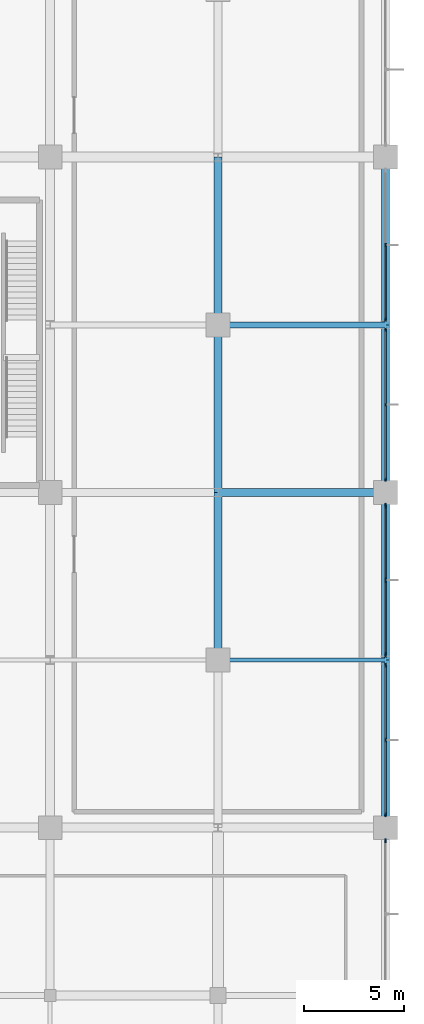
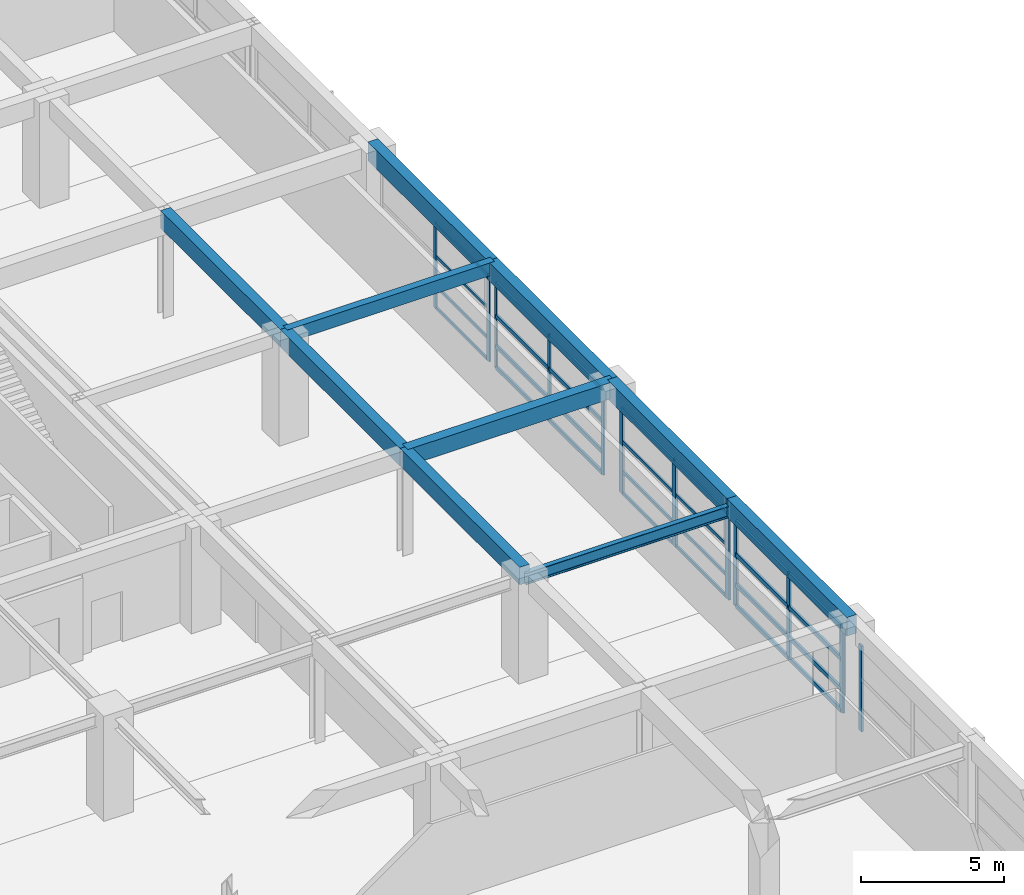
# One storey, part 37 of 65: 40 members, 10 beams, 5 elements without a shape of their own.
"""IFC4 building model written with IfcOpenShell, lengths in metres."""

from ifc_helpers import new_model, si_unit, direction, frame, origin, origin_2d, place, context, subcontext, project, spatial, rectangle, i_section, extrude, material, material_profile, profile_set, type_object, element, aggregate, save


model = new_model("IFC4")

# Units and contexts
model_context = context("Model", 3, precision=1e-05, world=origin(), true_north=direction((0.0, 1.0)))
body_context = subcontext(model_context, "Body", "Model", "MODEL_VIEW")
ifc_project = project(units=[si_unit("LENGTHUNIT", "METRE"), si_unit("AREAUNIT", "SQUARE_METRE"), si_unit("VOLUMEUNIT", "CUBIC_METRE"), si_unit("PLANEANGLEUNIT", "RADIAN"), si_unit("MASSUNIT", "GRAM", prefix="KILO")], contexts=[model_context])

# Site, building, storey
site_placement = place(None, origin())
site = spatial("IfcSite", under=ifc_project, at=site_placement, CompositionType="ELEMENT")
building_placement = place(site_placement, origin())
building = spatial("IfcBuilding", under=site, at=building_placement, Name="Xuanlan Plaza Opera House", CompositionType="ELEMENT")
storey_placement = place(building_placement, frame((0.0, 0.0, 5.39990234375)))
storey = spatial("IfcBuildingStorey", under=building, at=storey_placement, Name="L01", CompositionType="ELEMENT", Elevation=5.39990234375)

# Curtain wall, members
ifc_material_1 = material(Name="Anodised Aluminium 6063-T6 and Low-E Glass", Category="aluminium")
curtain_wall_type_1 = type_object("IfcCurtainWallType", Name="ENV-CW-CW-02", PredefinedType="USERDEFINED", material=ifc_material_1)
curtain_wall_1_placement = place(storey_placement, origin())
curtain_wall_1 = element("IfcCurtainWall", 1, at=curtain_wall_1_placement, inside=storey, type_object=curtain_wall_type_1, Name="Unitised Curtain Wall L01-023", ObjectType="UNITISED CURTAIN WALL", PredefinedType="USERDEFINED")
ifc_material_2 = material(Name="Anodised Aluminium 6063-T6", Category="aluminium")
ifc_material_profile_1 = material_profile(ifc_material_2, rectangle(XDim=0.06494140625, YDim=0.159912109375, at=origin_2d()), Name="ALU-M 65x160")
ifc_profile_set_1 = profile_set([ifc_material_profile_1], Name="Anodised Aluminium 6063-T6")
member_type_1 = type_object("IfcMemberType", Name="ENV-CWM-01", PredefinedType="MULLION", material=ifc_profile_set_1)
member_1_placement = place(storey_placement, frame((168.0, 51.052490234375, 0.0), z_axis=(0.0, 0.0, 1.0), x_axis=(-1.0, 0.0, 0.0)))
member_1 = element("IfcMember", 2, at=member_1_placement, type_object=member_type_1, Name="CW-02 mullion 1", PredefinedType="MULLION", context=body_context, shape_type="SweptSolid", body=[
    extrude(rectangle(XDim=0.06494140625, YDim=0.159912109375, at=origin_2d()), origin(), (0.0, 0.0, 1.0), 3.68017578125),
])
member_2_placement = place(storey_placement, frame((168.0, 54.79638671875, 0.0), z_axis=(0.0, 0.0, 1.0), x_axis=(-1.0, 0.0, 0.0)))
member_2 = element("IfcMember", 3, at=member_2_placement, type_object=member_type_1, Name="CW-02 mullion 2", PredefinedType="MULLION", context=body_context, shape_type="SweptSolid", body=[
    extrude(rectangle(XDim=0.06494140625, YDim=0.159912109375, at=origin_2d()), origin(), (0.0, 0.0, 1.0), 3.68017578125),
])
member_3_placement = place(storey_placement, frame((168.0, 58.54052734375, 0.0), z_axis=(0.0, 0.0, 1.0), x_axis=(-1.0, 0.0, 0.0)))
member_3 = element("IfcMember", 4, at=member_3_placement, type_object=member_type_1, Name="CW-02 mullion 3", PredefinedType="MULLION", context=body_context, shape_type="SweptSolid", body=[
    extrude(rectangle(XDim=0.06494140625, YDim=0.159912109375, at=origin_2d()), origin(), (0.0, 0.0, 1.0), 3.68017578125),
])

curtain_wall_type_2 = type_object("IfcCurtainWallType", Name="ENV-CW-CW-03", PredefinedType="USERDEFINED", material=ifc_material_1)
curtain_wall_2_placement = place(storey_placement, origin())
curtain_wall_2 = element("IfcCurtainWall", 5, at=curtain_wall_2_placement, inside=storey, type_object=curtain_wall_type_2, Name="Unitised Curtain Wall L01-024", ObjectType="UNITISED CURTAIN WALL", PredefinedType="USERDEFINED")
ifc_material_profile_2 = material_profile(ifc_material_2, rectangle(XDim=0.070068359375, YDim=0.179931640625, at=origin_2d()), Name="ALU-M 70x180")
ifc_profile_set_2 = profile_set([ifc_material_profile_2], Name="Anodised Aluminium 6063-T6")
member_type_2 = type_object("IfcMemberType", Name="ENV-CWM-02", PredefinedType="MULLION", material=ifc_profile_set_2)
member_4_placement = place(storey_placement, frame((168.0, 59.06201171875, 0.0), z_axis=(0.0, 0.0, 1.0), x_axis=(-1.0, 0.0, 0.0)))
member_4 = element("IfcMember", 6, at=member_4_placement, type_object=member_type_2, Name="CW-03 mullion 1", PredefinedType="MULLION", context=body_context, shape_type="SweptSolid", body=[
    extrude(rectangle(XDim=0.070068359375, YDim=0.179931640625, at=origin_2d()), origin(), (0.0, 0.0, 1.0), 3.68017578125),
])
member_5_placement = place(storey_placement, frame((168.0, 62.803466796875, 0.0), z_axis=(0.0, 0.0, 1.0), x_axis=(-1.0, 0.0, 0.0)))
member_5 = element("IfcMember", 7, at=member_5_placement, type_object=member_type_2, Name="CW-03 mullion 2", PredefinedType="MULLION", context=body_context, shape_type="SweptSolid", body=[
    extrude(rectangle(XDim=0.070068359375, YDim=0.179931640625, at=origin_2d()), origin(), (0.0, 0.0, 1.0), 3.68017578125),
])

# Curtain wall, member
curtain_wall_3_placement = place(storey_placement, origin())
curtain_wall_3 = element("IfcCurtainWall", 8, at=curtain_wall_3_placement, inside=storey, type_object=curtain_wall_type_2, Name="Unitised Curtain Wall L01-020", ObjectType="UNITISED CURTAIN WALL", PredefinedType="USERDEFINED")
ifc_material_profile_3 = material_profile(ifc_material_2, rectangle(XDim=0.074951171875, YDim=0.199951171875, at=origin_2d()), Name="ALU-M 75x200")
ifc_profile_set_3 = profile_set([ifc_material_profile_3], Name="Anodised Aluminium 6063-T6")
member_type_3 = type_object("IfcMemberType", Name="ENV-CWM-03", PredefinedType="MULLION", material=ifc_profile_set_3)
member_6_placement = place(storey_placement, frame((168.0, 32.9423828125, 0.0), z_axis=(0.0, 0.0, 1.0), x_axis=(-1.0, 0.0, 0.0)))
member_6 = element("IfcMember", 9, at=member_6_placement, type_object=member_type_3, Name="CW-03 mullion 3", PredefinedType="MULLION", context=body_context, shape_type="SweptSolid", body=[
    extrude(rectangle(XDim=0.074951171875, YDim=0.199951171875, at=origin_2d()), origin(), (0.0, 0.0, 1.0), 3.68017578125),
])
aggregate(curtain_wall_3, [member_6])

# Curtain wall, members
curtain_wall_type_3 = type_object("IfcCurtainWallType", Name="ENV-CW-CW-04", PredefinedType="USERDEFINED", material=ifc_material_1)
curtain_wall_4_placement = place(storey_placement, origin())
curtain_wall_4 = element("IfcCurtainWall", 10, at=curtain_wall_4_placement, inside=storey, type_object=curtain_wall_type_3, Name="Unitised Curtain Wall L01-021", ObjectType="UNITISED CURTAIN WALL", PredefinedType="USERDEFINED")
ifc_material_profile_4 = material_profile(ifc_material_2, rectangle(XDim=0.080078125, YDim=0.219970703125, at=origin_2d()), Name="ALU-M 80x220")
ifc_profile_set_4 = profile_set([ifc_material_profile_4], Name="Anodised Aluminium 6063-T6")
member_type_4 = type_object("IfcMemberType", Name="ENV-CWM-04", PredefinedType="MULLION", material=ifc_profile_set_4)
member_7_placement = place(storey_placement, frame((168.0, 34.260009765625, 0.0), z_axis=(0.0, 0.0, 1.0), x_axis=(-1.0, 0.0, 0.0)))
member_7 = element("IfcMember", 11, at=member_7_placement, type_object=member_type_4, Name="CW-04 mullion 1", PredefinedType="MULLION", context=body_context, shape_type="SweptSolid", body=[
    extrude(rectangle(XDim=0.080078125, YDim=0.219970703125, at=origin_2d()), origin(), (0.0, 0.0, 1.0), 3.68017578125),
])
member_8_placement = place(storey_placement, frame((168.0, 37.99658203125, 0.0), z_axis=(0.0, 0.0, 1.0), x_axis=(-1.0, 0.0, 0.0)))
member_8 = element("IfcMember", 12, at=member_8_placement, type_object=member_type_4, Name="CW-04 mullion 2", PredefinedType="MULLION", context=body_context, shape_type="SweptSolid", body=[
    extrude(rectangle(XDim=0.080078125, YDim=0.219970703125, at=origin_2d()), origin(), (0.0, 0.0, 1.0), 3.68017578125),
])
member_9_placement = place(storey_placement, frame((168.0, 41.73291015625, 0.0), z_axis=(0.0, 0.0, 1.0), x_axis=(-1.0, 0.0, 0.0)))
member_9 = element("IfcMember", 13, at=member_9_placement, type_object=member_type_4, Name="CW-04 mullion 3", PredefinedType="MULLION", context=body_context, shape_type="SweptSolid", body=[
    extrude(rectangle(XDim=0.080078125, YDim=0.219970703125, at=origin_2d()), origin(), (0.0, 0.0, 1.0), 3.68017578125),
])

curtain_wall_type_4 = type_object("IfcCurtainWallType", Name="ENV-CW-CW-01", PredefinedType="USERDEFINED", material=ifc_material_1)
curtain_wall_5_placement = place(storey_placement, origin())
curtain_wall_5 = element("IfcCurtainWall", 14, at=curtain_wall_5_placement, inside=storey, type_object=curtain_wall_type_4, Name="Unitised Curtain Wall L01-022", ObjectType="UNITISED CURTAIN WALL", PredefinedType="USERDEFINED")
ifc_material_profile_5 = material_profile(ifc_material_2, rectangle(XDim=0.090087890625, YDim=0.25, at=origin_2d()), Name="ALU-M 90x250")
ifc_profile_set_5 = profile_set([ifc_material_profile_5], Name="Anodised Aluminium 6063-T6")
member_type_5 = type_object("IfcMemberType", Name="ENV-CWM-05", PredefinedType="MULLION", material=ifc_profile_set_5)
member_10_placement = place(storey_placement, frame((168.0, 42.27197265625, 0.0), z_axis=(0.0, 0.0, 1.0), x_axis=(-1.0, 0.0, 0.0)))
member_10 = element("IfcMember", 15, at=member_10_placement, type_object=member_type_5, Name="CW-01 mullion 1", PredefinedType="MULLION", context=body_context, shape_type="SweptSolid", body=[
    extrude(rectangle(XDim=0.090087890625, YDim=0.25, at=origin_2d()), origin(), (0.0, 0.0, 1.0), 3.68017578125),
])
member_11_placement = place(storey_placement, frame((168.0, 46.00341796875, 0.0), z_axis=(0.0, 0.0, 1.0), x_axis=(-1.0, 0.0, 0.0)))
member_11 = element("IfcMember", 16, at=member_11_placement, type_object=member_type_5, Name="CW-01 mullion 2", PredefinedType="MULLION", context=body_context, shape_type="SweptSolid", body=[
    extrude(rectangle(XDim=0.090087890625, YDim=0.25, at=origin_2d()), origin(), (0.0, 0.0, 1.0), 3.68017578125),
])
member_12_placement = place(storey_placement, frame((168.0, 49.735107421875, 0.0), z_axis=(0.0, 0.0, 1.0), x_axis=(-1.0, 0.0, 0.0)))
member_12 = element("IfcMember", 17, at=member_12_placement, type_object=member_type_5, Name="CW-01 mullion 3", PredefinedType="MULLION", context=body_context, shape_type="SweptSolid", body=[
    extrude(rectangle(XDim=0.090087890625, YDim=0.25, at=origin_2d()), origin(), (0.0, 0.0, 1.0), 3.68017578125),
])

# Member
ifc_material_profile_6 = material_profile(ifc_material_2, rectangle(XDim=0.06494140625, YDim=0.1201171875, at=origin_2d()), Name="ALU-T 65x120")
ifc_profile_set_6 = profile_set([ifc_material_profile_6], Name="Anodised Aluminium 6063-T6")
member_type_6 = type_object("IfcMemberType", Name="ENV-CWT-01", PredefinedType="USERDEFINED", material=ifc_profile_set_6)
member_13_placement = place(storey_placement, frame((168.0, 59.096923828125, 0.03271484375), z_axis=(0.0, 1.0, 0.0), x_axis=(-1.0, 0.0, 0.0)))
member_13 = element("IfcMember", 18, at=member_13_placement, type_object=member_type_6, Name="CW-03 transom 1.1", ObjectType="TRANSOM", PredefinedType="USERDEFINED", context=body_context, shape_type="SweptSolid", body=[
    extrude(rectangle(XDim=0.06494140625, YDim=0.1201171875, at=origin_2d()), origin(), (0.0, 0.0, 1.0), 3.671630859375),
])

member_14_placement = place(storey_placement, frame((168.0, 59.096923828125, 0.9501953125), z_axis=(0.0, 1.0, 0.0), x_axis=(-1.0, 0.0, 0.0)))
member_14 = element("IfcMember", 19, at=member_14_placement, type_object=member_type_6, Name="CW-03 transom 1.2", ObjectType="TRANSOM", PredefinedType="USERDEFINED", context=body_context, shape_type="SweptSolid", body=[
    extrude(rectangle(XDim=0.06494140625, YDim=0.1201171875, at=origin_2d()), origin(), (0.0, 0.0, 1.0), 3.671630859375),
])

member_15_placement = place(storey_placement, frame((168.0, 59.096923828125, 2.25), z_axis=(0.0, 1.0, 0.0), x_axis=(-1.0, 0.0, 0.0)))
member_15 = element("IfcMember", 20, at=member_15_placement, type_object=member_type_6, Name="CW-03 transom 1.3", ObjectType="TRANSOM", PredefinedType="USERDEFINED", context=body_context, shape_type="SweptSolid", body=[
    extrude(rectangle(XDim=0.06494140625, YDim=0.1201171875, at=origin_2d()), origin(), (0.0, 0.0, 1.0), 3.671630859375),
])

member_16_placement = place(storey_placement, frame((168.0, 59.096923828125, 3.647705078125), z_axis=(0.0, 1.0, 0.0), x_axis=(-1.0, 0.0, 0.0)))
member_16 = element("IfcMember", 21, at=member_16_placement, type_object=member_type_6, Name="CW-03 transom 1.4", ObjectType="TRANSOM", PredefinedType="USERDEFINED", context=body_context, shape_type="SweptSolid", body=[
    extrude(rectangle(XDim=0.06494140625, YDim=0.1201171875, at=origin_2d()), origin(), (0.0, 0.0, 1.0), 3.671630859375),
])

aggregate(curtain_wall_2, [member_4, member_5, member_13, member_14, member_15, member_16])

ifc_material_profile_7 = material_profile(ifc_material_2, rectangle(XDim=0.070068359375, YDim=0.135009765625, at=origin_2d()), Name="ALU-T 70x135")
ifc_profile_set_7 = profile_set([ifc_material_profile_7], Name="Anodised Aluminium 6063-T6")
member_type_7 = type_object("IfcMemberType", Name="ENV-CWT-02", PredefinedType="USERDEFINED", material=ifc_profile_set_7)
member_17_placement = place(storey_placement, frame((168.0, 42.31689453125, 0.03515625), z_axis=(0.0, 1.0, 0.0), x_axis=(-1.0, 0.0, 0.0)))
member_17 = element("IfcMember", 22, at=member_17_placement, type_object=member_type_7, Name="CW-01 transom 1.1", ObjectType="TRANSOM", PredefinedType="USERDEFINED", context=body_context, shape_type="SweptSolid", body=[
    extrude(rectangle(XDim=0.070068359375, YDim=0.135009765625, at=origin_2d()), origin(), (0.0, 0.0, 1.0), 3.6416015625),
])

member_18_placement = place(storey_placement, frame((168.0, 42.31689453125, 0.9501953125), z_axis=(0.0, 1.0, 0.0), x_axis=(-1.0, 0.0, 0.0)))
member_18 = element("IfcMember", 23, at=member_18_placement, type_object=member_type_7, Name="CW-01 transom 1.2", ObjectType="TRANSOM", PredefinedType="USERDEFINED", context=body_context, shape_type="SweptSolid", body=[
    extrude(rectangle(XDim=0.070068359375, YDim=0.135009765625, at=origin_2d()), origin(), (0.0, 0.0, 1.0), 3.6416015625),
])

member_19_placement = place(storey_placement, frame((168.0, 42.31689453125, 2.25), z_axis=(0.0, 1.0, 0.0), x_axis=(-1.0, 0.0, 0.0)))
member_19 = element("IfcMember", 24, at=member_19_placement, type_object=member_type_7, Name="CW-01 transom 1.3", ObjectType="TRANSOM", PredefinedType="USERDEFINED", context=body_context, shape_type="SweptSolid", body=[
    extrude(rectangle(XDim=0.070068359375, YDim=0.135009765625, at=origin_2d()), origin(), (0.0, 0.0, 1.0), 3.6416015625),
])

member_20_placement = place(storey_placement, frame((168.0, 42.31689453125, 3.64501953125), z_axis=(0.0, 1.0, 0.0), x_axis=(-1.0, 0.0, 0.0)))
member_20 = element("IfcMember", 25, at=member_20_placement, type_object=member_type_7, Name="CW-01 transom 1.4", ObjectType="TRANSOM", PredefinedType="USERDEFINED", context=body_context, shape_type="SweptSolid", body=[
    extrude(rectangle(XDim=0.070068359375, YDim=0.135009765625, at=origin_2d()), origin(), (0.0, 0.0, 1.0), 3.6416015625),
])

member_21_placement = place(storey_placement, frame((168.0, 46.048583984375, 0.03515625), z_axis=(0.0, 1.0, 0.0), x_axis=(-1.0, 0.0, 0.0)))
member_21 = element("IfcMember", 26, at=member_21_placement, type_object=member_type_7, Name="CW-01 transom 2.1", ObjectType="TRANSOM", PredefinedType="USERDEFINED", context=body_context, shape_type="SweptSolid", body=[
    extrude(rectangle(XDim=0.070068359375, YDim=0.135009765625, at=origin_2d()), origin(), (0.0, 0.0, 1.0), 3.641357421875),
])

member_22_placement = place(storey_placement, frame((168.0, 46.048583984375, 0.9501953125), z_axis=(0.0, 1.0, 0.0), x_axis=(-1.0, 0.0, 0.0)))
member_22 = element("IfcMember", 27, at=member_22_placement, type_object=member_type_7, Name="CW-01 transom 2.2", ObjectType="TRANSOM", PredefinedType="USERDEFINED", context=body_context, shape_type="SweptSolid", body=[
    extrude(rectangle(XDim=0.070068359375, YDim=0.135009765625, at=origin_2d()), origin(), (0.0, 0.0, 1.0), 3.641357421875),
])

member_23_placement = place(storey_placement, frame((168.0, 46.048583984375, 2.25), z_axis=(0.0, 1.0, 0.0), x_axis=(-1.0, 0.0, 0.0)))
member_23 = element("IfcMember", 28, at=member_23_placement, type_object=member_type_7, Name="CW-01 transom 2.3", ObjectType="TRANSOM", PredefinedType="USERDEFINED", context=body_context, shape_type="SweptSolid", body=[
    extrude(rectangle(XDim=0.070068359375, YDim=0.135009765625, at=origin_2d()), origin(), (0.0, 0.0, 1.0), 3.641357421875),
])

member_24_placement = place(storey_placement, frame((168.0, 46.048583984375, 3.64501953125), z_axis=(0.0, 1.0, 0.0), x_axis=(-1.0, 0.0, 0.0)))
member_24 = element("IfcMember", 29, at=member_24_placement, type_object=member_type_7, Name="CW-01 transom 2.4", ObjectType="TRANSOM", PredefinedType="USERDEFINED", context=body_context, shape_type="SweptSolid", body=[
    extrude(rectangle(XDim=0.070068359375, YDim=0.135009765625, at=origin_2d()), origin(), (0.0, 0.0, 1.0), 3.641357421875),
])

aggregate(curtain_wall_5, [member_10, member_11, member_12, member_17, member_18, member_19, member_20, member_21, member_22, member_23, member_24])

ifc_material_profile_8 = material_profile(ifc_material_2, rectangle(XDim=0.080078125, YDim=0.1650390625, at=origin_2d()), Name="ALU-T 80x165")
ifc_profile_set_8 = profile_set([ifc_material_profile_8], Name="Anodised Aluminium 6063-T6")
member_type_8 = type_object("IfcMemberType", Name="ENV-CWT-04", PredefinedType="USERDEFINED", material=ifc_profile_set_8)
member_25_placement = place(storey_placement, frame((168.0, 51.0849609375, 0.0400390625), z_axis=(0.0, 1.0, 0.0), x_axis=(-1.0, 0.0, 0.0)))
member_25 = element("IfcMember", 30, at=member_25_placement, type_object=member_type_8, Name="CW-02 transom 1.1", ObjectType="TRANSOM", PredefinedType="USERDEFINED", context=body_context, shape_type="SweptSolid", body=[
    extrude(rectangle(XDim=0.080078125, YDim=0.1650390625, at=origin_2d()), origin(), (0.0, 0.0, 1.0), 3.678955078125),
])

member_26_placement = place(storey_placement, frame((168.0, 51.0849609375, 0.9501953125), z_axis=(0.0, 1.0, 0.0), x_axis=(-1.0, 0.0, 0.0)))
member_26 = element("IfcMember", 31, at=member_26_placement, type_object=member_type_8, Name="CW-02 transom 1.2", ObjectType="TRANSOM", PredefinedType="USERDEFINED", context=body_context, shape_type="SweptSolid", body=[
    extrude(rectangle(XDim=0.080078125, YDim=0.1650390625, at=origin_2d()), origin(), (0.0, 0.0, 1.0), 3.678955078125),
])

member_27_placement = place(storey_placement, frame((168.0, 51.0849609375, 2.25), z_axis=(0.0, 1.0, 0.0), x_axis=(-1.0, 0.0, 0.0)))
member_27 = element("IfcMember", 32, at=member_27_placement, type_object=member_type_8, Name="CW-02 transom 1.3", ObjectType="TRANSOM", PredefinedType="USERDEFINED", context=body_context, shape_type="SweptSolid", body=[
    extrude(rectangle(XDim=0.080078125, YDim=0.1650390625, at=origin_2d()), origin(), (0.0, 0.0, 1.0), 3.678955078125),
])

member_28_placement = place(storey_placement, frame((168.0, 51.0849609375, 3.64013671875), z_axis=(0.0, 1.0, 0.0), x_axis=(-1.0, 0.0, 0.0)))
member_28 = element("IfcMember", 33, at=member_28_placement, type_object=member_type_8, Name="CW-02 transom 1.4", ObjectType="TRANSOM", PredefinedType="USERDEFINED", context=body_context, shape_type="SweptSolid", body=[
    extrude(rectangle(XDim=0.080078125, YDim=0.1650390625, at=origin_2d()), origin(), (0.0, 0.0, 1.0), 3.678955078125),
])

member_29_placement = place(storey_placement, frame((168.0, 54.8291015625, 0.0400390625), z_axis=(0.0, 1.0, 0.0), x_axis=(-1.0, 0.0, 0.0)))
member_29 = element("IfcMember", 34, at=member_29_placement, type_object=member_type_8, Name="CW-02 transom 2.1", ObjectType="TRANSOM", PredefinedType="USERDEFINED", context=body_context, shape_type="SweptSolid", body=[
    extrude(rectangle(XDim=0.080078125, YDim=0.1650390625, at=origin_2d()), origin(), (0.0, 0.0, 1.0), 3.678955078125),
])

member_30_placement = place(storey_placement, frame((168.0, 54.8291015625, 0.9501953125), z_axis=(0.0, 1.0, 0.0), x_axis=(-1.0, 0.0, 0.0)))
member_30 = element("IfcMember", 35, at=member_30_placement, type_object=member_type_8, Name="CW-02 transom 2.2", ObjectType="TRANSOM", PredefinedType="USERDEFINED", context=body_context, shape_type="SweptSolid", body=[
    extrude(rectangle(XDim=0.080078125, YDim=0.1650390625, at=origin_2d()), origin(), (0.0, 0.0, 1.0), 3.678955078125),
])

member_31_placement = place(storey_placement, frame((168.0, 54.8291015625, 2.25), z_axis=(0.0, 1.0, 0.0), x_axis=(-1.0, 0.0, 0.0)))
member_31 = element("IfcMember", 36, at=member_31_placement, type_object=member_type_8, Name="CW-02 transom 2.3", ObjectType="TRANSOM", PredefinedType="USERDEFINED", context=body_context, shape_type="SweptSolid", body=[
    extrude(rectangle(XDim=0.080078125, YDim=0.1650390625, at=origin_2d()), origin(), (0.0, 0.0, 1.0), 3.678955078125),
])

member_32_placement = place(storey_placement, frame((168.0, 54.8291015625, 3.64013671875), z_axis=(0.0, 1.0, 0.0), x_axis=(-1.0, 0.0, 0.0)))
member_32 = element("IfcMember", 37, at=member_32_placement, type_object=member_type_8, Name="CW-02 transom 2.4", ObjectType="TRANSOM", PredefinedType="USERDEFINED", context=body_context, shape_type="SweptSolid", body=[
    extrude(rectangle(XDim=0.080078125, YDim=0.1650390625, at=origin_2d()), origin(), (0.0, 0.0, 1.0), 3.678955078125),
])

aggregate(curtain_wall_1, [member_1, member_2, member_3, member_25, member_26, member_27, member_28, member_29, member_30, member_31, member_32])

ifc_material_profile_9 = material_profile(ifc_material_2, rectangle(XDim=0.090087890625, YDim=0.179931640625, at=origin_2d()), Name="ALU-T 90x180")
ifc_profile_set_9 = profile_set([ifc_material_profile_9], Name="Anodised Aluminium 6063-T6")
member_type_9 = type_object("IfcMemberType", Name="ENV-CWT-05", PredefinedType="USERDEFINED", material=ifc_profile_set_9)
member_33_placement = place(storey_placement, frame((168.0, 34.300048828125, 0.045166015625), z_axis=(0.0, 1.0, 0.0), x_axis=(-1.0, 0.0, 0.0)))
member_33 = element("IfcMember", 38, at=member_33_placement, type_object=member_type_9, Name="CW-04 transom 1.1", ObjectType="TRANSOM", PredefinedType="USERDEFINED", context=body_context, shape_type="SweptSolid", body=[
    extrude(rectangle(XDim=0.090087890625, YDim=0.179931640625, at=origin_2d()), origin(), (0.0, 0.0, 1.0), 3.656494140625),
])

member_34_placement = place(storey_placement, frame((168.0, 34.300048828125, 0.9501953125), z_axis=(0.0, 1.0, 0.0), x_axis=(-1.0, 0.0, 0.0)))
member_34 = element("IfcMember", 39, at=member_34_placement, type_object=member_type_9, Name="CW-04 transom 1.2", ObjectType="TRANSOM", PredefinedType="USERDEFINED", context=body_context, shape_type="SweptSolid", body=[
    extrude(rectangle(XDim=0.090087890625, YDim=0.179931640625, at=origin_2d()), origin(), (0.0, 0.0, 1.0), 3.656494140625),
])

member_35_placement = place(storey_placement, frame((168.0, 34.300048828125, 2.25), z_axis=(0.0, 1.0, 0.0), x_axis=(-1.0, 0.0, 0.0)))
member_35 = element("IfcMember", 40, at=member_35_placement, type_object=member_type_9, Name="CW-04 transom 1.3", ObjectType="TRANSOM", PredefinedType="USERDEFINED", context=body_context, shape_type="SweptSolid", body=[
    extrude(rectangle(XDim=0.090087890625, YDim=0.179931640625, at=origin_2d()), origin(), (0.0, 0.0, 1.0), 3.656494140625),
])

member_36_placement = place(storey_placement, frame((168.0, 34.300048828125, 3.635009765625), z_axis=(0.0, 1.0, 0.0), x_axis=(-1.0, 0.0, 0.0)))
member_36 = element("IfcMember", 41, at=member_36_placement, type_object=member_type_9, Name="CW-04 transom 1.4", ObjectType="TRANSOM", PredefinedType="USERDEFINED", context=body_context, shape_type="SweptSolid", body=[
    extrude(rectangle(XDim=0.090087890625, YDim=0.179931640625, at=origin_2d()), origin(), (0.0, 0.0, 1.0), 3.656494140625),
])

member_37_placement = place(storey_placement, frame((168.0, 38.03662109375, 0.045166015625), z_axis=(0.0, 1.0, 0.0), x_axis=(-1.0, 0.0, 0.0)))
member_37 = element("IfcMember", 42, at=member_37_placement, type_object=member_type_9, Name="CW-04 transom 2.1", ObjectType="TRANSOM", PredefinedType="USERDEFINED", context=body_context, shape_type="SweptSolid", body=[
    extrude(rectangle(XDim=0.090087890625, YDim=0.179931640625, at=origin_2d()), origin(), (0.0, 0.0, 1.0), 3.656494140625),
])

member_38_placement = place(storey_placement, frame((168.0, 38.03662109375, 0.9501953125), z_axis=(0.0, 1.0, 0.0), x_axis=(-1.0, 0.0, 0.0)))
member_38 = element("IfcMember", 43, at=member_38_placement, type_object=member_type_9, Name="CW-04 transom 2.2", ObjectType="TRANSOM", PredefinedType="USERDEFINED", context=body_context, shape_type="SweptSolid", body=[
    extrude(rectangle(XDim=0.090087890625, YDim=0.179931640625, at=origin_2d()), origin(), (0.0, 0.0, 1.0), 3.656494140625),
])

member_39_placement = place(storey_placement, frame((168.0, 38.03662109375, 2.25), z_axis=(0.0, 1.0, 0.0), x_axis=(-1.0, 0.0, 0.0)))
member_39 = element("IfcMember", 44, at=member_39_placement, type_object=member_type_9, Name="CW-04 transom 2.3", ObjectType="TRANSOM", PredefinedType="USERDEFINED", context=body_context, shape_type="SweptSolid", body=[
    extrude(rectangle(XDim=0.090087890625, YDim=0.179931640625, at=origin_2d()), origin(), (0.0, 0.0, 1.0), 3.656494140625),
])

member_40_placement = place(storey_placement, frame((168.0, 38.03662109375, 3.635009765625), z_axis=(0.0, 1.0, 0.0), x_axis=(-1.0, 0.0, 0.0)))
member_40 = element("IfcMember", 45, at=member_40_placement, type_object=member_type_9, Name="CW-04 transom 2.4", ObjectType="TRANSOM", PredefinedType="USERDEFINED", context=body_context, shape_type="SweptSolid", body=[
    extrude(rectangle(XDim=0.090087890625, YDim=0.179931640625, at=origin_2d()), origin(), (0.0, 0.0, 1.0), 3.656494140625),
])

aggregate(curtain_wall_4, [member_7, member_8, member_9, member_33, member_34, member_35, member_36, member_37, member_38, member_39, member_40])

# Beams
ifc_material_3 = material(Name="Concrete C40", Category="concrete")
ifc_material_profile_10 = material_profile(ifc_material_3, rectangle(XDim=0.39990234375, YDim=0.75, at=origin_2d()), Name="RC-BM 400x750")
ifc_profile_set_10 = profile_set([ifc_material_profile_10], Name="Concrete C40")
beam_type_1 = type_object("IfcBeamType", Name="STR-BM-B-06", PredefinedType="BEAM", material=ifc_profile_set_10)
beam_1_placement = place(storey_placement, frame((159.60009765625, 42.0, 4.125), z_axis=(0.0, 1.0, 0.0), x_axis=(-1.0, 0.0, 0.0)))
element("IfcBeam", 46, at=beam_1_placement, inside=storey, type_object=beam_type_1, Name="Grid Beam Y L01 20/F-G", PredefinedType="BEAM", context=body_context, shape_type="SweptSolid", body=[
    extrude(rectangle(XDim=0.39990234375, YDim=0.75, at=origin_2d()), origin(), (0.0, 0.0, 1.0), 8.39990234375),
])
beam_2_placement = place(storey_placement, frame((159.60009765625, 50.39990234375, 4.125), z_axis=(0.0, 1.0, 0.0), x_axis=(-1.0, 0.0, 0.0)))
element("IfcBeam", 47, at=beam_2_placement, inside=storey, type_object=beam_type_1, Name="Grid Beam Y L01 20/G-H", PredefinedType="BEAM", context=body_context, shape_type="SweptSolid", body=[
    extrude(rectangle(XDim=0.39990234375, YDim=0.75, at=origin_2d()), origin(), (0.0, 0.0, 1.0), 8.400146484375),
])
beam_3_placement = place(storey_placement, frame((159.60009765625, 58.800048828125, 4.125), z_axis=(0.0, 1.0, 0.0), x_axis=(-1.0, 0.0, 0.0)))
element("IfcBeam", 48, at=beam_3_placement, inside=storey, type_object=beam_type_1, Name="Grid Beam Y L01 20/H-I", PredefinedType="BEAM", context=body_context, shape_type="SweptSolid", body=[
    extrude(rectangle(XDim=0.39990234375, YDim=0.75, at=origin_2d()), origin(), (0.0, 0.0, 1.0), 8.39990234375),
])
ifc_material_profile_11 = material_profile(ifc_material_3, rectangle(XDim=0.39990234375, YDim=0.699951171875, at=origin_2d()), Name="RC-BM 400x700")
ifc_profile_set_11 = profile_set([ifc_material_profile_11], Name="Concrete C40")
beam_type_2 = type_object("IfcBeamType", Name="STR-BM-B-07", PredefinedType="BEAM", material=ifc_profile_set_11)
beam_4_placement = place(storey_placement, frame((159.60009765625, 50.39990234375, 4.150146484375), z_axis=(1.0, 0.0, 0.0), x_axis=(0.0, 1.0, 0.0)))
element("IfcBeam", 49, at=beam_4_placement, inside=storey, type_object=beam_type_2, Name="Grid Beam X L01 20-21/G", PredefinedType="BEAM", context=body_context, shape_type="SweptSolid", body=[
    extrude(rectangle(XDim=0.39990234375, YDim=0.699951171875, at=origin_2d()), origin(), (0.0, 0.0, 1.0), 8.39990234375),
])
ifc_material_profile_12 = material_profile(ifc_material_3, rectangle(XDim=0.300048828125, YDim=0.550048828125, at=origin_2d()), Name="RC-BM 300x550")
ifc_profile_set_12 = profile_set([ifc_material_profile_12], Name="Concrete C40")
beam_type_3 = type_object("IfcBeamType", Name="STR-BM-B-09", PredefinedType="BEAM", material=ifc_profile_set_12)
beam_5_placement = place(storey_placement, frame((159.60009765625, 58.800048828125, 4.22509765625), z_axis=(1.0, 0.0, 0.0), x_axis=(0.0, 1.0, 0.0)))
element("IfcBeam", 50, at=beam_5_placement, inside=storey, type_object=beam_type_3, Name="Grid Beam X L01 20-21/H", PredefinedType="BEAM", context=body_context, shape_type="SweptSolid", body=[
    extrude(rectangle(XDim=0.300048828125, YDim=0.550048828125, at=origin_2d()), origin(), (0.0, 0.0, 1.0), 8.39990234375),
])
ifc_material_4 = material(Name="Steel Q355B", Category="steel")
ifc_material_profile_13 = material_profile(ifc_material_4, i_section(OverallWidth=0.199951171875, OverallDepth=0.5, WebThickness=0.010009765625, FlangeThickness=0.01611328125, FilletRadius=0.02001953125, at=origin_2d()), Name="HN 500x200x10x16")
ifc_profile_set_13 = profile_set([ifc_material_profile_13], Name="Steel Q355B")
beam_type_4 = type_object("IfcBeamType", Name="STR-BM-SB-05", PredefinedType="BEAM", material=ifc_profile_set_13)
beam_6_placement = place(storey_placement, frame((159.60009765625, 42.0, 3.985107421875), z_axis=(1.0, 0.0, 0.0), x_axis=(0.0, 1.0, 0.0)))
element("IfcBeam", 51, at=beam_6_placement, inside=storey, type_object=beam_type_4, Name="Grid Beam X L01 20-21/F", PredefinedType="BEAM", context=body_context, shape_type="SweptSolid", body=[
    extrude(i_section(OverallWidth=0.199951171875, OverallDepth=0.5, WebThickness=0.010009765625, FlangeThickness=0.01611328125, FilletRadius=0.02001953125, at=origin_2d()), origin(), (0.0, 0.0, 1.0), 8.39990234375),
])
ifc_material_profile_14 = material_profile(ifc_material_3, rectangle(XDim=0.39990234375, YDim=0.800048828125, at=origin_2d()), Name="RC-SPD 400x800")
ifc_profile_set_14 = profile_set([ifc_material_profile_14], Name="Concrete C40")
beam_type_5 = type_object("IfcBeamType", Name="STR-BM-SP-01", PredefinedType="SPANDREL", material=ifc_profile_set_14)
for number, where, z_axis, x_axis, name in (
    (52, (168.0, 33.60009765625, 4.10009765625), (0.0, 1.0, 0.0), (-1.0, 0.0, 0.0), "Grid Beam Y L01 21/E-F"),
    (53, (168.0, 42.0, 4.10009765625), (0.0, 1.0, 0.0), (-1.0, 0.0, 0.0), "Grid Beam Y L01 21/F-G"),
):
    element("IfcBeam", number, at=place(storey_placement, frame(where, z_axis=z_axis, x_axis=x_axis)), inside=storey, type_object=beam_type_5, Name=name, PredefinedType="SPANDREL", context=body_context, shape_type="SweptSolid", body=[
        extrude(rectangle(XDim=0.39990234375, YDim=0.800048828125, at=origin_2d()), origin(), (0.0, 0.0, 1.0), 8.39990234375),
    ])
beam_7_placement = place(storey_placement, frame((168.0, 50.39990234375, 4.10009765625), z_axis=(0.0, 1.0, 0.0), x_axis=(-1.0, 0.0, 0.0)))
element("IfcBeam", 54, at=beam_7_placement, inside=storey, type_object=beam_type_5, Name="Grid Beam Y L01 21/G-H", PredefinedType="SPANDREL", context=body_context, shape_type="SweptSolid", body=[
    extrude(rectangle(XDim=0.39990234375, YDim=0.800048828125, at=origin_2d()), origin(), (0.0, 0.0, 1.0), 8.400146484375),
])
beam_8_placement = place(storey_placement, frame((168.0, 58.800048828125, 4.10009765625), z_axis=(0.0, 1.0, 0.0), x_axis=(-1.0, 0.0, 0.0)))
element("IfcBeam", 55, at=beam_8_placement, inside=storey, type_object=beam_type_5, Name="Grid Beam Y L01 21/H-I", PredefinedType="SPANDREL", context=body_context, shape_type="SweptSolid", body=[
    extrude(rectangle(XDim=0.39990234375, YDim=0.800048828125, at=origin_2d()), origin(), (0.0, 0.0, 1.0), 8.39990234375),
])

save(model, "model.ifc")
